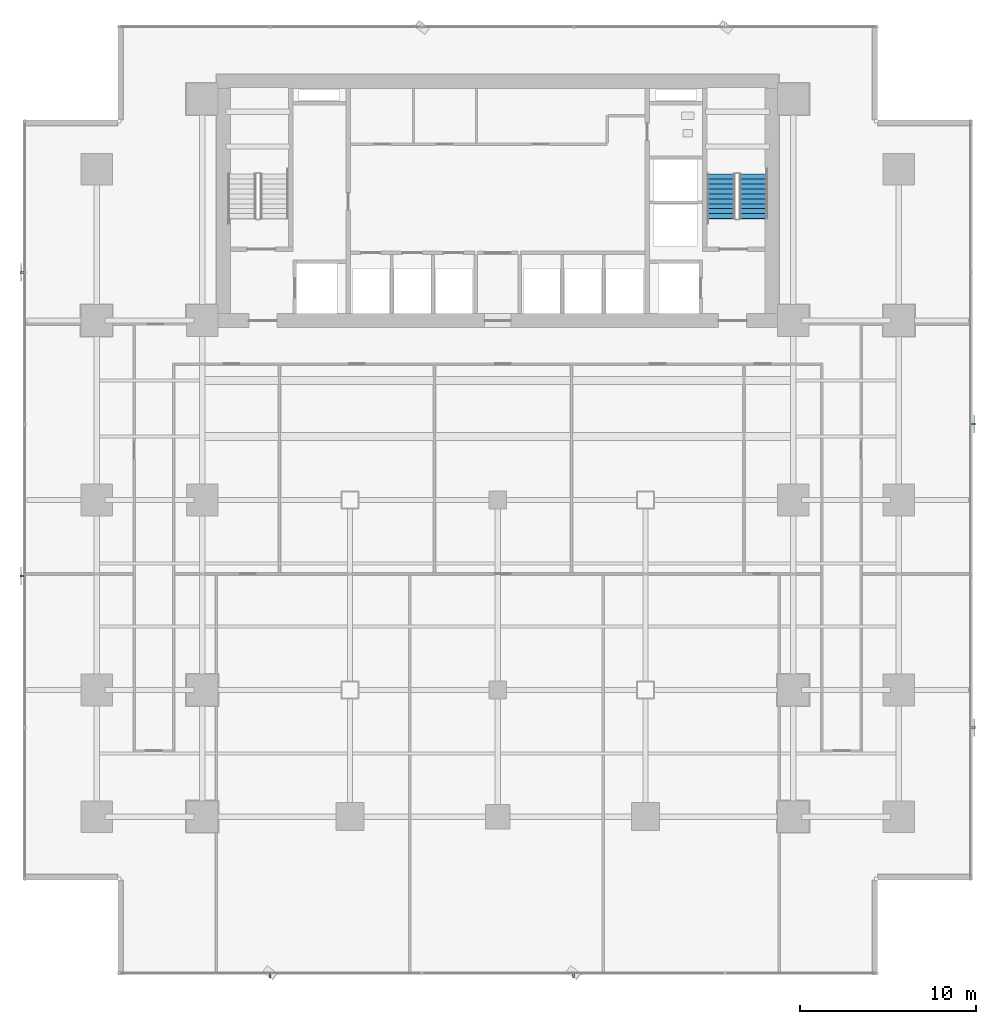
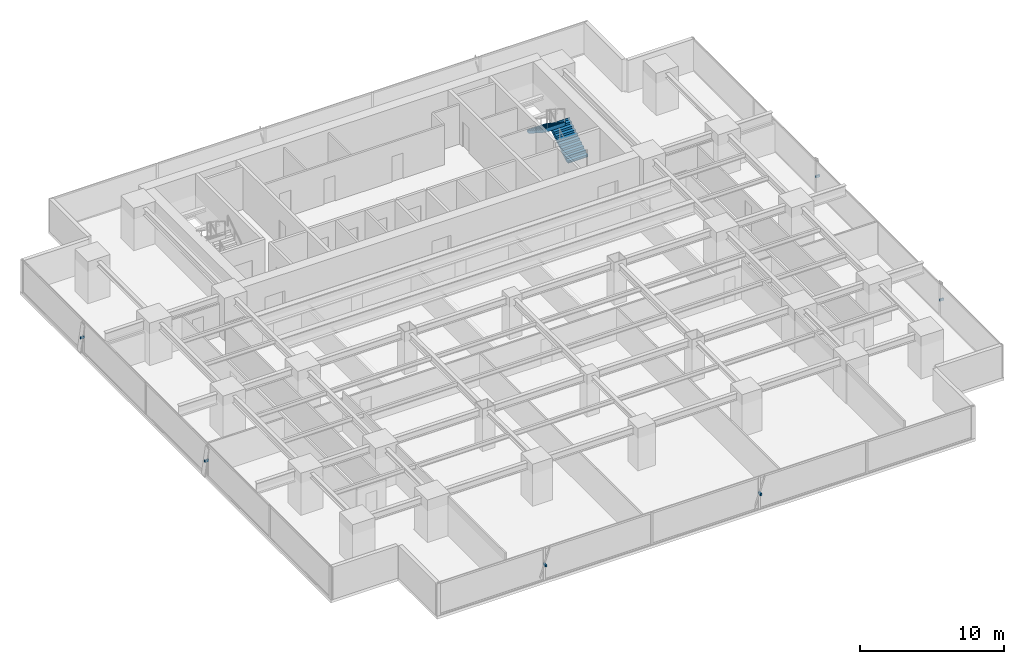
# One storey, part 27 of 33: 6 discrete accessories, 2 stair flights, 1 element without a shape of its own.
"""IFC4 building model written with IfcOpenShell, lengths in metres."""

from ifc_helpers import new_model, si_unit, direction, frame, origin, origin_2d, place, context, subcontext, project, spatial, polyline, rectangle, outline, extrude, source, transform, mapped, material, material_profile, profile_set, type_object, element, aggregate, save


model = new_model("IFC4")

# Units and contexts
model_context = context("Model", 3, precision=1e-05, world=origin(), true_north=direction((0.0, 1.0)))
body_context = subcontext(model_context, "Body", "Model", "MODEL_VIEW")
ifc_project = project(units=[si_unit("LENGTHUNIT", "METRE"), si_unit("AREAUNIT", "SQUARE_METRE"), si_unit("VOLUMEUNIT", "CUBIC_METRE"), si_unit("PLANEANGLEUNIT", "RADIAN"), si_unit("MASSUNIT", "GRAM", prefix="KILO")], contexts=[model_context])

# Site, building, storey
site_placement = place(None, origin())
site = spatial("IfcSite", under=ifc_project, at=site_placement, CompositionType="ELEMENT")
building_placement = place(site_placement, origin())
building = spatial("IfcBuilding", under=site, at=building_placement, Name="Sumidabori Civic Tower", CompositionType="ELEMENT")
storey_placement = place(building_placement, frame((0.0, 0.0, 30.800048828125)))
storey = spatial("IfcBuildingStorey", under=building, at=storey_placement, Name="L07", CompositionType="ELEMENT", Elevation=30.800048828125)

# Stair, stair flights
ifc_material_1 = material(Name="Concrete C40/50", Category="concrete")
stair_type = type_object("IfcStairType", Name="ST-CORE-1600", PredefinedType="HALF_TURN_STAIR", material=ifc_material_1)
stair_placement = place(storey_placement, origin())
stair = element("IfcStair", 1, at=stair_placement, inside=storey, type_object=stair_type, Name="L07 ST-2", PredefinedType="HALF_TURN_STAIR")
stair_flight_type = type_object("IfcStairFlightType", Name="SF-CORE-1600", PredefinedType="STRAIGHT", material=ifc_material_1)
shared_shape_1 = source(origin(), body_context, "Body", "SweptSolid", [
    extrude(outline(polyline([(-0.02490234375, 0.0), (-0.02490234375, 0.0400390625), (0.0, 0.0400390625), (0.0, 0.179931640625), (0.280029296875, 0.179931640625), (0.280029296875, 0.360107421875), (0.56005859375, 0.360107421875), (0.56005859375, 0.5400390625), (0.840087890625, 0.5400390625), (0.840087890625, 0.719970703125), (1.1201171875, 0.719970703125), (1.1201171875, 0.89990234375), (1.39990234375, 0.89990234375), (1.39990234375, 1.080078125), (1.679931640625, 1.080078125), (1.679931640625, 1.260009765625), (1.9599609375, 1.260009765625), (1.9599609375, 1.43994140625), (2.239990234375, 1.43994140625), (2.239990234375, 1.6201171875), (2.52001953125, 1.6201171875), (2.52001953125, 1.800048828125), (2.544921875, 1.800048828125), (2.544921875, 1.650146484375), (2.52001953125, 1.44189453125), (0.277099609375, 0.0), (-0.02490234375, 0.0)])), frame((0.0, 0.800048828125, 0.0), z_axis=(0.0, -1.0, 0.0), x_axis=(1.0, 0.0, 0.0)), (0.0, 0.0, 1.0), 1.60009765625),
])
stair_flight_1_placement = place(storey_placement, frame((14.5400390625, 16.0, 0.0), z_axis=(0.0, 0.0, 1.0), x_axis=(0.0, 1.0, 0.0)))
stair_flight_1 = element("IfcStairFlight", 2, at=stair_flight_1_placement, type_object=stair_flight_type, Name="ST-2 flight 1", NumberOfRisers=10, NumberOfTreads=9, PredefinedType="STRAIGHT", RiserHeight=0.18, TreadLength=0.28, context=body_context, shape_type="MappedRepresentation", body=[
    mapped(shared_shape_1, transform((0.0, 0.0, 0.0), x_axis=(1.0, 0.0, 0.0), y_axis=(0.0, 1.0, 0.0), z_axis=(0.0, 0.0, 1.0), scale=1.0)),
])
stair_flight_2_placement = place(storey_placement, frame((12.699951171875, 18.52001953125, 1.800048828125), z_axis=(0.0, 0.0, 1.0), x_axis=(0.0, -1.0, 0.0)))
stair_flight_2 = element("IfcStairFlight", 3, at=stair_flight_2_placement, type_object=stair_flight_type, Name="ST-2 flight 2", NumberOfRisers=10, NumberOfTreads=9, PredefinedType="STRAIGHT", RiserHeight=0.18, TreadLength=0.28, context=body_context, shape_type="MappedRepresentation", body=[
    mapped(shared_shape_1, transform((0.0, 0.0, 0.0), x_axis=(1.0, 0.0, 0.0), y_axis=(0.0, 1.0, 0.0), z_axis=(0.0, 0.0, 1.0), scale=1.0)),
])
aggregate(stair, [stair_flight_1, stair_flight_2])

# Discrete accessories
ifc_material_2 = material(Name="Stainless Steel Hairline Finish", Category="steel")
ifc_material_profile = material_profile(ifc_material_2, rectangle(XDim=0.1201171875, YDim=0.179931640625, at=origin_2d()), Name="STEEL BRACKET 180x120")
ifc_profile_set = profile_set([ifc_material_profile], Name="Stainless Steel Hairline Finish")
discrete_accessory_type = type_object("IfcDiscreteAccessoryType", Name="AC-BRK-180", PredefinedType="BRACKET", material=ifc_profile_set)
shared_shape_2 = source(origin(), body_context, "Body", "SweptSolid", [
    extrude(rectangle(XDim=0.1201171875, YDim=0.179931640625, at=origin_2d()), origin(), (0.0, 0.0, 1.0), 0.329833984375),
])
for number, where, z_axis, x_axis, name in (
    (4, (-12.94189453125, -26.830078125, 1.35986328125), (0.0, -1.0, 0.0), (1.0, 0.0, 0.0), "Bronze Fin Fixing Bracket L07-01"),
    (5, (4.31396484375, -26.830078125, 1.35986328125), (0.0, -1.0, 0.0), (1.0, 0.0, 0.0), "Bronze Fin Fixing Bracket L07-03"),
    (6, (26.830078125, -12.94189453125, 1.35986328125), (1.0, 0.0, 0.0), (0.0, 1.0, 0.0), "Bronze Fin Fixing Bracket L07-01"),
    (7, (26.830078125, 4.31396484375, 1.35986328125), (1.0, 0.0, 0.0), (0.0, 1.0, 0.0), "Bronze Fin Fixing Bracket L07-03"),
    (8, (-26.830078125, 12.94189453125, 1.35986328125), (-1.0, 0.0, 0.0), (0.0, -1.0, 0.0), "Bronze Fin Fixing Bracket L07-01"),
    (9, (-26.830078125, -4.31396484375, 1.35986328125), (-1.0, 0.0, 0.0), (0.0, -1.0, 0.0), "Bronze Fin Fixing Bracket L07-03"),
):
    element("IfcDiscreteAccessory", number, at=place(storey_placement, frame(where, z_axis=z_axis, x_axis=x_axis)), inside=storey, type_object=discrete_accessory_type, Name=name, PredefinedType="BRACKET", context=body_context, shape_type="MappedRepresentation", body=[
        mapped(shared_shape_2, transform((0.0, 0.0, 0.0), x_axis=(1.0, 0.0, 0.0), y_axis=(0.0, 1.0, 0.0), z_axis=(0.0, 0.0, 1.0), scale=1.0)),
    ])

save(model, "model.ifc")
